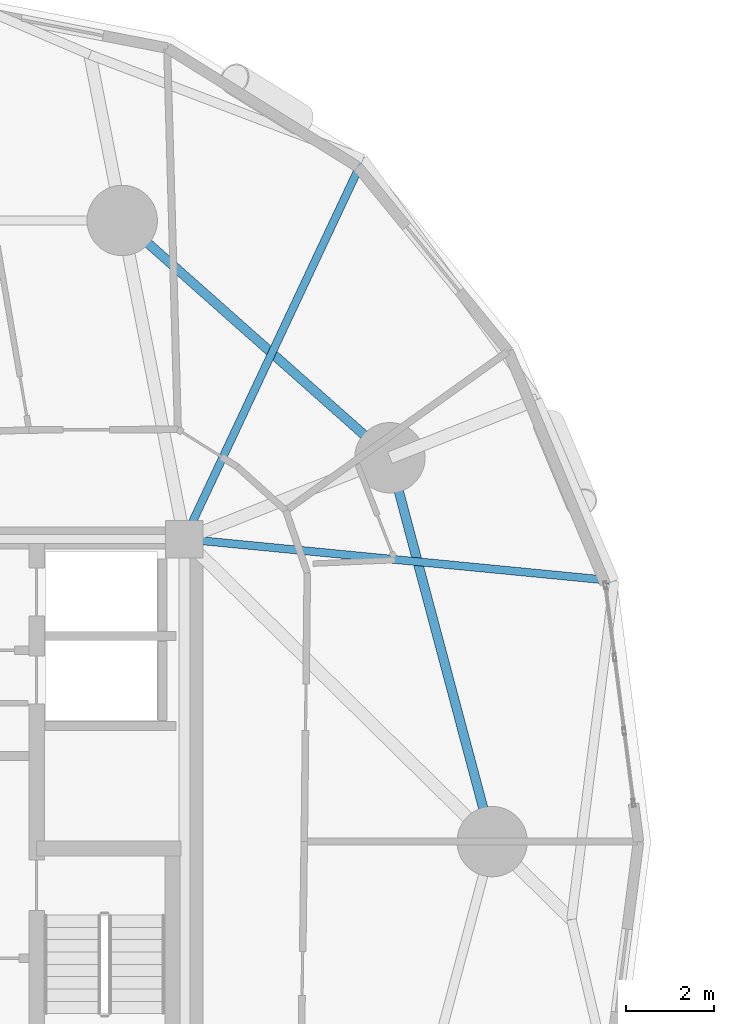
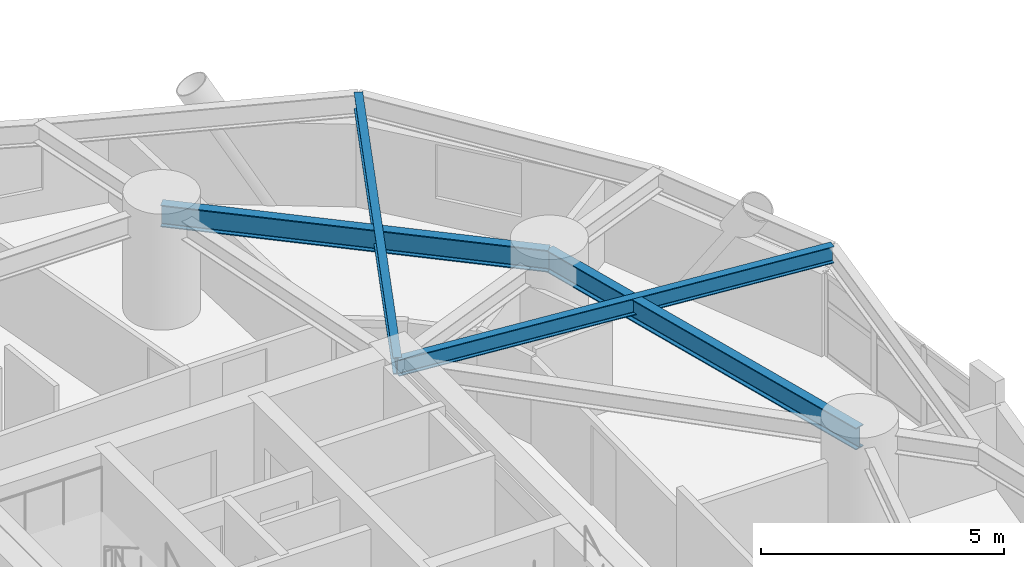
# One storey, part 3 of 19: 4 beams.
"""IFC4 building model written with IfcOpenShell, lengths in metres."""

import ifcopenshell
import ifcopenshell.guid

model = None  # the IFC model being written
_history = None  # IfcOwnerHistory: only IFC2X3 demands one
_inside = {}  # id of a spatial element -> (the spatial element, [elements in it])
_under = {}  # id of a project, library or spatial element -> (it, [spatial elements below it])
_declared = {}  # id of a project -> (the project, [libraries it declares])
_typed = {}  # id of a type object -> (the type object, [elements of that type])
_made_of = {}  # id of a material, layer set ... -> (it, [elements and type objects made of it])


def new_model(schema):
    """Start an empty IFC model of exactly this schema.

    Asked for "IFC4X3", IfcOpenShell would pick the latest addendum, in which some entities
    have other attributes; the version numbers below select the first issue.
    IFC2X3 requires an IfcOwnerHistory on every rooted entity: one is made here for all.
    """
    global model, _history
    if schema == "IFC4X3":
        model = ifcopenshell.file(schema_version=(4, 3, 0, 0))
    else:
        model = ifcopenshell.file(schema=schema)
    _inside.clear()
    _under.clear()
    _declared.clear()
    _typed.clear()
    _made_of.clear()
    _history = None
    if model.schema == "IFC2X3":
        org = make("IfcOrganization", Name="unknown")
        user = make(
            "IfcPersonAndOrganization",
            ThePerson=make("IfcPerson", FamilyName="unknown"),
            TheOrganization=org,
        )
        app = make(
            "IfcApplication",
            ApplicationDeveloper=org,
            Version="unknown",
            ApplicationFullName="unknown",
            ApplicationIdentifier="unknown",
        )
        _history = make(
            "IfcOwnerHistory",
            OwningUser=user,
            OwningApplication=app,
            ChangeAction="ADDED",
            CreationDate=0,
        )
    return model


def make(cls, **values):
    """One entity of the class cls with the attributes given. An attribute that is None is left unset."""
    return model.create_entity(
        cls, **{name: value for name, value in values.items() if value is not None}
    )


def rooted(cls, **values):
    """An entity with a GlobalId (a new one), such as an element, a storey or a relation."""
    return make(cls, GlobalId=ifcopenshell.guid.new(), OwnerHistory=_history, **values)


def si_unit(unit_type, name, prefix=None):
    """IfcSIUnit, for example si_unit("LENGTHUNIT", "METRE", prefix="MILLI")."""
    return make("IfcSIUnit", UnitType=unit_type, Prefix=prefix, Name=name)


def assignment(units):
    """IfcUnitAssignment: the units of a project."""
    return None if units is None else make("IfcUnitAssignment", Units=units)


def point(xyz):
    """IfcCartesianPoint."""
    return None if xyz is None else make("IfcCartesianPoint", Coordinates=xyz)


def direction(xyz):
    """IfcDirection."""
    return None if xyz is None else make("IfcDirection", DirectionRatios=xyz)


def frame(location, z_axis=None, x_axis=None):
    """IfcAxis2Placement3D, a coordinate frame: its origin and axes. An axis left out is left unset."""
    return make(
        "IfcAxis2Placement3D",
        Location=point(location),
        Axis=direction(z_axis),
        RefDirection=direction(x_axis),
    )


def frame_2d(location, x_axis=None):
    """IfcAxis2Placement2D, a coordinate frame in the plane: its origin and x axis."""
    return make(
        "IfcAxis2Placement2D", Location=point(location), RefDirection=direction(x_axis)
    )


def origin():
    """The frame at (0, 0, 0) with its axes left unset."""
    return frame((0.0, 0.0, 0.0))


def origin_2d():
    """The frame at (0, 0) in the plane with its x axis left unset."""
    return frame_2d((0.0, 0.0))


def place(relative_to, where):
    """IfcLocalPlacement: puts the frame where relative to a parent placement (None: the world)."""
    return make(
        "IfcLocalPlacement", PlacementRelTo=relative_to, RelativePlacement=where
    )


def context(
    kind, dimensions, precision=None, world=None, true_north=None, identifier=None
):
    """IfcGeometricRepresentationContext, for example the 3D "Model" context."""
    return make(
        "IfcGeometricRepresentationContext",
        ContextIdentifier=identifier,
        ContextType=kind,
        CoordinateSpaceDimension=dimensions,
        Precision=precision,
        WorldCoordinateSystem=world,
        TrueNorth=true_north,
    )


def subcontext(parent, identifier, kind, view, scale=None):
    """IfcGeometricRepresentationSubContext, for example "Body" below "Model"."""
    return make(
        "IfcGeometricRepresentationSubContext",
        ContextIdentifier=identifier,
        ContextType=kind,
        ParentContext=parent,
        TargetScale=scale,
        TargetView=view,
    )


def project(units=None, contexts=None):
    """IfcProject with its units and contexts."""
    return rooted(
        "IfcProject",
        Name="project",
        RepresentationContexts=contexts,
        UnitsInContext=assignment(units),
    )


def spatial(cls, under=None, at=None, **own):
    """A site, building, storey or space (cls), placed at a placement, below another one or the project."""
    s = rooted(cls, ObjectPlacement=at, **own)
    if under is not None:
        _under.setdefault(under.id(), (under, []))[1].append(s)
    return s


def profile(cls, at=None, kind="AREA", **sizes):
    """A parametric profile (cls). Its sizes go by their IFC names, for example OverallWidth=200.0."""
    return make(cls, ProfileType=kind, Position=at, **sizes)


def i_section(**sizes):
    """IfcIShapeProfileDef."""
    return profile("IfcIShapeProfileDef", **sizes)


def extrude(swept, where, along, depth):
    """IfcExtrudedAreaSolid: the profile swept, set in the frame where, extruded along a direction by depth."""
    return make(
        "IfcExtrudedAreaSolid",
        SweptArea=swept,
        Position=where,
        ExtrudedDirection=direction(along),
        Depth=depth,
    )


def shape(context_of_items, identifier, shape_type, items):
    """IfcShapeRepresentation: the items that make up one representation, for example the "Body"."""
    return make(
        "IfcShapeRepresentation",
        ContextOfItems=context_of_items,
        RepresentationIdentifier=identifier,
        RepresentationType=shape_type,
        Items=items,
    )


def material(Name=None, Category=None):
    """IfcMaterial."""
    return make("IfcMaterial", Name=Name, Category=Category)


def material_profile(
    of_material, cross_section, Name=None, Category=None, Priority=None
):
    """IfcMaterialProfile: a cross section and its material."""
    return make(
        "IfcMaterialProfile",
        Name=Name,
        Material=of_material,
        Profile=cross_section,
        Priority=Priority,
        Category=Category,
    )


def profile_set(profiles, Name=None, composite=None):
    """IfcMaterialProfileSet."""
    return make(
        "IfcMaterialProfileSet",
        Name=Name,
        MaterialProfiles=profiles,
        CompositeProfile=composite,
    )


def made_of(thing, what):
    """Note that an element or type object is made of a material, layer set ...; save() writes the relation."""
    if what is not None:
        _made_of.setdefault(what.id(), (what, []))[1].append(thing)
    return thing


def type_object(cls, material=None, **own):
    """A type object (cls), such as IfcWallType, which elements share."""
    return made_of(rooted(cls, **own), material)


def element(
    cls,
    number,
    at=None,
    inside=None,
    cuts=None,
    type_object=None,
    material=None,
    context=None,
    identifier="Body",
    shape_type=None,
    held_by="IfcProductDefinitionShape",
    body=None,
    shapes=None,
    **own,
):
    """One element of the class cls, such as IfcWall. Its Tag is "e" and its number.

    at: its placement. inside: the storey or other place that contains it. cuts: it is an
    opening in that element (IfcRelVoidsElement). A single representation is given by context,
    identifier, shape_type and body (its items); several are given by shapes. held_by: the class
    of the entity that holds the representations. save() writes the other relations.
    """
    e = rooted(cls, Tag="e%d" % number, ObjectPlacement=at, **own)
    if body is not None:
        shapes = [shape(context, identifier, shape_type, body)]
    if shapes is not None:
        e.Representation = make(held_by, Representations=shapes)
    if inside is not None:
        _inside.setdefault(inside.id(), (inside, []))[1].append(e)
    if cuts is not None:
        rooted(
            "IfcRelVoidsElement", RelatingBuildingElement=cuts, RelatedOpeningElement=e
        )
    if type_object is not None:
        _typed.setdefault(type_object.id(), (type_object, []))[1].append(e)
    return made_of(e, material)


def aggregate(whole, parts):
    """IfcRelAggregates: a whole, such as a stair, and the parts it consists of."""
    return rooted("IfcRelAggregates", RelatingObject=whole, RelatedObjects=parts)


def save(model, path):
    """Write the relations noted so far, then the file.

    IfcRelAggregates (storeys below a building ...), IfcRelContainedInSpatialStructure (elements
    in a storey), IfcRelDefinesByType, IfcRelAssociatesMaterial and IfcRelDeclares: one each for
    every whole, place, type object, material and project.
    """
    for whole, parts in _under.values():
        aggregate(whole, parts)
    for where, things in _inside.values():
        rooted(
            "IfcRelContainedInSpatialStructure",
            RelatedElements=things,
            RelatingStructure=where,
        )
    for kind, things in _typed.values():
        rooted("IfcRelDefinesByType", RelatedObjects=things, RelatingType=kind)
    for what, things in _made_of.values():
        rooted("IfcRelAssociatesMaterial", RelatedObjects=things, RelatingMaterial=what)
    for by, libraries in _declared.values():
        rooted("IfcRelDeclares", RelatingContext=by, RelatedDefinitions=libraries)
    model.write(path)


model = new_model("IFC4")

# Units and contexts
model_context = context("Model", 3, precision=1e-05, world=origin(), true_north=direction((0.0, 1.0)))
body_context = subcontext(model_context, "Body", "Model", "MODEL_VIEW")
ifc_project = project(units=[si_unit("LENGTHUNIT", "METRE"), si_unit("AREAUNIT", "SQUARE_METRE"), si_unit("VOLUMEUNIT", "CUBIC_METRE"), si_unit("PLANEANGLEUNIT", "RADIAN"), si_unit("MASSUNIT", "GRAM", prefix="KILO")], contexts=[model_context])

# Site, building, storey
site_placement = place(None, origin())
site = spatial("IfcSite", under=ifc_project, at=site_placement, CompositionType="ELEMENT")
building_placement = place(site_placement, origin())
building = spatial("IfcBuilding", under=site, at=building_placement, Name="Cununo Teusaquillo Station Towers", CompositionType="ELEMENT")
storey_placement = place(building_placement, frame((0.0, 0.0, 33.639892578125)))
storey = spatial("IfcBuildingStorey", under=building, at=storey_placement, Name="L09", CompositionType="ELEMENT", Elevation=33.639892578125)

# Beams
ifc_material_1 = material(Name="Steel ASTM A572 Grade 50", Category="steel")
ifc_material_profile_1 = material_profile(ifc_material_1, i_section(OverallWidth=0.180908203125, OverallDepth=0.4169921875, WebThickness=0.010986328125, FlangeThickness=0.018310546875, FilletRadius=0.012939453125, at=origin_2d()), Name="W16X57")
ifc_profile_set_1 = profile_set([ifc_material_profile_1], Name="Steel ASTM A572 Grade 50")
beam_type_1 = type_object("IfcBeamType", Name="BM-JOIST-1", PredefinedType="JOIST", material=ifc_profile_set_1)
beam_1_placement = place(storey_placement, frame((21.675048828125, 31.3798828125, 2.441650390625), z_axis=(0.995310719276, -0.096729375545, 0.0), x_axis=(0.096729375545, 0.995310719276, 0.0)))
element("IfcBeam", 1, at=beam_1_placement, inside=storey, type_object=beam_type_1, Name="L09 Tower A Radial Spandrel Joist V01", PredefinedType="JOIST", context=body_context, shape_type="SweptSolid", body=[
    extrude(i_section(OverallWidth=0.180908203125, OverallDepth=0.4169921875, WebThickness=0.010986328125, FlangeThickness=0.018310546875, FilletRadius=0.012939453125, at=origin_2d()), origin(), (0.0, 0.0, 1.0), 9.82080078125),
])
beam_2_placement = place(storey_placement, frame((21.675048828125, 31.3798828125, 2.441650390625), z_axis=(0.425472080871, 0.904971551155, 0.0), x_axis=(-0.904971551155, 0.425472080871, 0.0)))
element("IfcBeam", 2, at=beam_2_placement, inside=storey, type_object=beam_type_1, Name="L09 Tower A Radial Spandrel Joist V03", PredefinedType="JOIST", context=body_context, shape_type="SweptSolid", body=[
    extrude(i_section(OverallWidth=0.180908203125, OverallDepth=0.4169921875, WebThickness=0.010986328125, FlangeThickness=0.018310546875, FilletRadius=0.012939453125, at=origin_2d()), origin(), (0.0, 0.0, 1.0), 9.552734375),
])
ifc_material_2 = material(Name="Steel ASTM A572 Grade 50", Category="steel")
ifc_material_profile_2 = material_profile(ifc_material_2, i_section(OverallWidth=0.214111328125, OverallDepth=0.549072265625, WebThickness=0.0146484375, FlangeThickness=0.023681640625, FilletRadius=0.014892578125, at=origin_2d()), Name="W21X93")
ifc_profile_set_2 = profile_set([ifc_material_profile_2], Name="Steel ASTM A572 Grade 50")
beam_type_2 = type_object("IfcBeamType", Name="BM-RING-Z1", PredefinedType="SPANDREL", material=ifc_profile_set_2)
beam_3_placement = place(storey_placement, frame((28.672119140625, 24.5, 2.37548828125), z_axis=(-0.257363196347, 0.966314744359, 0.0), x_axis=(-0.966314744359, -0.257363196347, 0.0)))
element("IfcBeam", 3, at=beam_3_placement, inside=storey, type_object=beam_type_2, Name="L09 Tower A Structural Column Ring Girder 01", PredefinedType="SPANDREL", context=body_context, shape_type="SweptSolid", body=[
    extrude(i_section(OverallWidth=0.214111328125, OverallDepth=0.549072265625, WebThickness=0.0146484375, FlangeThickness=0.023681640625, FilletRadius=0.014892578125, at=origin_2d()), origin(), (0.0, 0.0, 1.0), 9.03271484375),
])
beam_4_placement = place(storey_placement, frame((26.347412109375, 33.228515625, 2.37548828125), z_axis=(-0.74832120039, 0.66333655187, 0.0), x_axis=(-0.66333655187, -0.74832120039, 0.0)))
element("IfcBeam", 4, at=beam_4_placement, inside=storey, type_object=beam_type_2, Name="L09 Tower A Structural Column Ring Girder 02", PredefinedType="SPANDREL", context=body_context, shape_type="SweptSolid", body=[
    extrude(i_section(OverallWidth=0.214111328125, OverallDepth=0.549072265625, WebThickness=0.0146484375, FlangeThickness=0.023681640625, FilletRadius=0.014892578125, at=origin_2d()), origin(), (0.0, 0.0, 1.0), 8.1328125),
])

save(model, "model.ifc")
